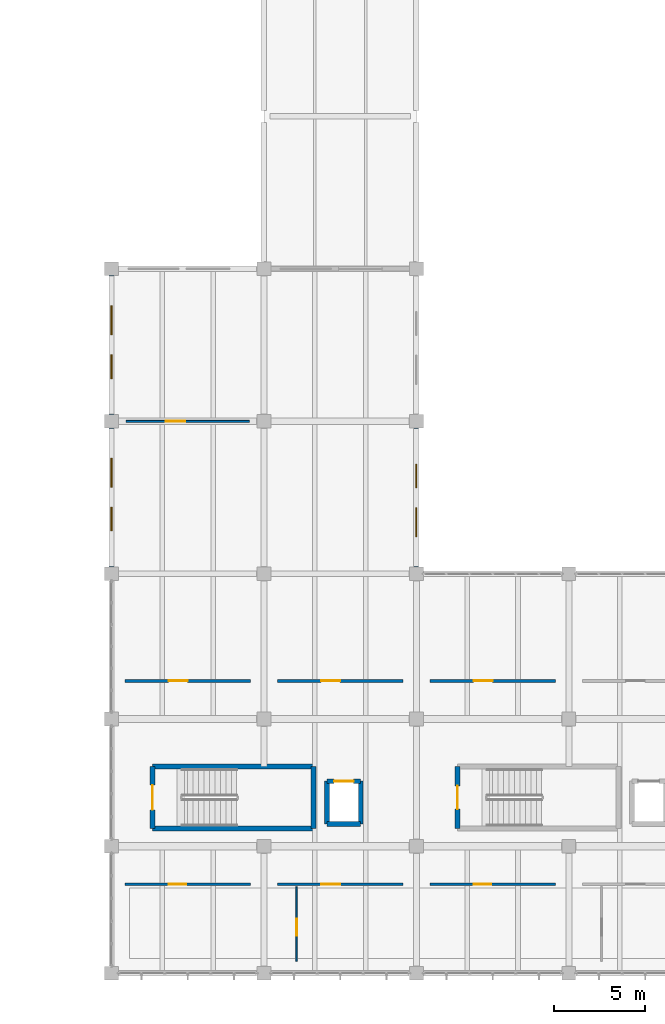
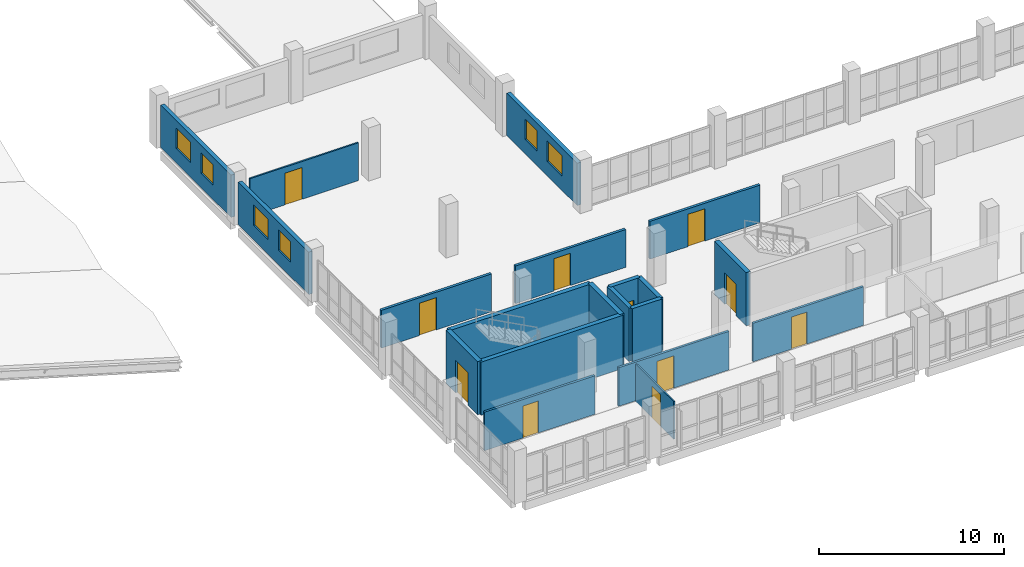
# One storey, part 79 of 95: 20 walls, 11 doors, 6 windows, 17 openings.
"""IFC4 building model written with IfcOpenShell, lengths in metres."""

from ifc_helpers import new_model, si_unit, direction, frame, frame_2d, origin, place, context, subcontext, project, spatial, rectangle, extrude, material, layer, layer_set, type_object, element, fill, save


model = new_model("IFC4")

# Units and contexts
model_context = context("Model", 3, precision=1e-05, world=origin(), true_north=direction((0.0, 1.0)))
body_context = subcontext(model_context, "Body", "Model", "MODEL_VIEW")
ifc_project = project(units=[si_unit("LENGTHUNIT", "METRE"), si_unit("AREAUNIT", "SQUARE_METRE"), si_unit("VOLUMEUNIT", "CUBIC_METRE"), si_unit("PLANEANGLEUNIT", "RADIAN"), si_unit("MASSUNIT", "GRAM", prefix="KILO"), si_unit("THERMODYNAMICTEMPERATUREUNIT", "KELVIN"), si_unit("POWERUNIT", "WATT")], contexts=[model_context])

# Site, building, storey
site_placement = place(None, origin())
site = spatial("IfcSite", under=ifc_project, at=site_placement, CompositionType="ELEMENT")
building_placement = place(site_placement, origin())
building = spatial("IfcBuilding", under=site, at=building_placement, Name="Mavoryth Pier Ferry Terminal", CompositionType="ELEMENT")
storey_placement = place(building_placement, frame((0.0, 0.0, 9.60009765625)))
storey = spatial("IfcBuildingStorey", under=building, at=storey_placement, Name="L02", CompositionType="ELEMENT", Elevation=9.60009765625)

# Walls
ifc_material_1 = material(Name="Concrete C35/45", Category="concrete")
ifc_layer_1 = layer(ifc_material_1, 0.260009765625, Name="Concrete C35/45", Category="concrete")
ifc_layer_set_1 = layer_set([ifc_layer_1], Name="Concrete C35/45 - CoreWall-LiftShaft-RC260")
wall_type_1 = type_object("IfcWallType", Name="CoreWall-LiftShaft-RC260", PredefinedType="SHEAR", material=ifc_layer_set_1)
wall_1_placement = place(storey_placement, frame((53.8701171875, 8.219970703125, 0.0), z_axis=(0.0, 0.0, 1.0), x_axis=(1.0, 0.0, 0.0)))
element("IfcWall", 1, at=wall_1_placement, inside=storey, type_object=wall_type_1, Name="Interior Wall IW-L02-0233", PredefinedType="SHEAR", context=body_context, shape_type="SweptSolid", body=[
    extrude(rectangle(XDim=1.85986328125, YDim=0.260009765625, at=frame_2d((0.929931640625, 0.0))), origin(), (0.0, 0.0, 1.0), 3.52001953125),
])
for number, where, z_axis, x_axis, name in (
    (2, (55.72998046875, 8.219970703125, 0.0), (0.0, 0.0, 1.0), (0.0, 1.0, 0.0), "Interior Wall IW-L02-0234"),
    (3, (53.8701171875, 10.580078125, 0.0), (0.0, 0.0, 1.0), (0.0, -1.0, 0.0), "Interior Wall IW-L02-0235"),
):
    element("IfcWall", number, at=place(storey_placement, frame(where, z_axis=z_axis, x_axis=x_axis)), inside=storey, type_object=wall_type_1, Name=name, PredefinedType="SHEAR", context=body_context, shape_type="SweptSolid", body=[
        extrude(rectangle(XDim=2.360107421875, YDim=0.260009765625, at=frame_2d((1.18017578125, 0.0))), origin(), (0.0, 0.0, 1.0), 3.52001953125),
    ])

# Wall, opening, door
wall_2_placement = place(storey_placement, frame((53.8701171875, 10.580078125, 0.0), z_axis=(0.0, 0.0, 1.0), x_axis=(1.0, 0.0, 0.0)))
wall_2 = element("IfcWall", 4, at=wall_2_placement, inside=storey, type_object=wall_type_1, Name="Interior Wall IW-L02-0236", PredefinedType="SHEAR", context=body_context, shape_type="SweptSolid", body=[
    extrude(rectangle(XDim=1.85986328125, YDim=0.260009765625, at=frame_2d((0.929931640625, 0.0))), origin(), (0.0, 0.0, 1.0), 3.52001953125),
])
opening_1_placement = place(wall_2_placement, frame((0.389892578125, 0.0, 0.0)))
opening_1 = element("IfcOpeningElement", 5, at=opening_1_placement, cuts=wall_2, Name="Opening LD03", PredefinedType="OPENING", context=body_context, shape_type="SweptSolid", body=[
    extrude(rectangle(XDim=1.080078125, YDim=2.139892578125, at=frame_2d((0.5400390625, 1.06982421875))), frame((0.0, 0.139892578125, 0.0), z_axis=(0.0, -1.0, 0.0), x_axis=(1.0, 0.0, 0.0)), (0.0, 0.0, 1.0), 0.280029296875),
])
ifc_material_2 = material(Name="EN 81-72 Fire-Rated Lift Landing Door")
door_type_1 = type_object("IfcDoorType", Name="Door-FireLiftLanding-1080x2140", OperationType="NOTDEFINED", PredefinedType="DOOR", material=ifc_material_2)
door_1_placement = place(opening_1_placement, origin())
door_1 = element("IfcDoor", 6, at=door_1_placement, inside=storey, type_object=door_type_1, Name="Lift FL01 Landing Door L02", OperationType="DOUBLE_DOOR_SLIDING", OverallHeight=2.139892578125, OverallWidth=1.080078125, PredefinedType="DOOR", context=body_context, shape_type="SweptSolid", body=[
    extrude(rectangle(XDim=1.080078125, YDim=2.139892578125, at=frame_2d((0.5400390625, 1.06982421875))), frame((0.0, 0.02490234375, 0.0), z_axis=(0.0, -1.0, 0.0), x_axis=(1.0, 0.0, 0.0)), (0.0, 0.0, 1.0), 0.050048828125),
])
fill(opening_1, door_1)

# Walls
ifc_material_3 = material(Name="Concrete C40/50", Category="concrete")
ifc_layer_2 = layer(ifc_material_3, 0.280029296875, Name="Concrete C40/50", Category="concrete")
ifc_layer_set_2 = layer_set([ifc_layer_2], Name="Concrete C40/50 - CoreWall-Shear-RC280")
wall_type_2 = type_object("IfcWallType", Name="CoreWall-Shear-RC280", PredefinedType="SHEAR", material=ifc_layer_set_2)
for number, where, z_axis, x_axis, name in (
    (7, (44.260009765625, 7.9599609375, 0.0), (0.0, 0.0, 1.0), (1.0, 0.0, 0.0), "Interior Wall IW-L02-0213"),
    (8, (44.260009765625, 11.389892578125, 0.0), (0.0, 0.0, 1.0), (1.0, 0.0, 0.0), "Interior Wall IW-L02-0214"),
):
    element("IfcWall", number, at=place(storey_placement, frame(where, z_axis=z_axis, x_axis=x_axis)), inside=storey, type_object=wall_type_2, Name=name, PredefinedType="SHEAR", context=body_context, shape_type="SweptSolid", body=[
        extrude(rectangle(XDim=8.8798828125, YDim=0.280029296875, at=frame_2d((4.43994140625, 0.0))), origin(), (0.0, 0.0, 1.0), 3.52001953125),
    ])

# Wall, opening, door
wall_3_placement = place(storey_placement, frame((44.260009765625, 11.389892578125, 0.0), z_axis=(0.0, 0.0, 1.0), x_axis=(0.0, -1.0, 0.0)))
wall_3 = element("IfcWall", 9, at=wall_3_placement, inside=storey, type_object=wall_type_2, Name="Interior Wall IW-L02-0215", PredefinedType="SHEAR", context=body_context, shape_type="SweptSolid", body=[
    extrude(rectangle(XDim=3.429931640625, YDim=0.280029296875, at=frame_2d((1.71484375, 0.0))), origin(), (0.0, 0.0, 1.0), 3.52001953125),
])
opening_2_placement = place(wall_3_placement, frame((1.034912109375, 0.0, 0.0)))
opening_2 = element("IfcOpeningElement", 10, at=opening_2_placement, cuts=wall_3, Name="Opening ID02-054", PredefinedType="OPENING", context=body_context, shape_type="SweptSolid", body=[
    extrude(rectangle(XDim=1.360107421875, YDim=2.14990234375, at=frame_2d((0.68017578125, 1.074951171875))), frame((0.0, 0.14990234375, 0.0), z_axis=(0.0, -1.0, 0.0), x_axis=(1.0, 0.0, 0.0)), (0.0, 0.0, 1.0), 0.300048828125),
])
ifc_material_4 = material(Name="Painted Galvanised Steel Fire Door", Category="steel")
door_type_2 = type_object("IfcDoorType", Name="Door-StairFire-1360x2150", OperationType="NOTDEFINED", PredefinedType="DOOR", material=ifc_material_4)
door_2_placement = place(opening_2_placement, origin())
door_2 = element("IfcDoor", 11, at=door_2_placement, inside=storey, type_object=door_type_2, Name="Core C5A Stair Exit Door L02", OperationType="SINGLE_SWING_LEFT", OverallHeight=2.14990234375, OverallWidth=1.360107421875, PredefinedType="DOOR", context=body_context, shape_type="SweptSolid", body=[
    extrude(rectangle(XDim=1.360107421875, YDim=2.14990234375, at=frame_2d((0.68017578125, 1.074951171875))), frame((0.0, 0.02490234375, 0.0), z_axis=(0.0, -1.0, 0.0), x_axis=(1.0, 0.0, 0.0)), (0.0, 0.0, 1.0), 0.050048828125),
])
fill(opening_2, door_2)

# Wall
wall_4_placement = place(storey_placement, frame((53.139892578125, 7.9599609375, 0.0), z_axis=(0.0, 0.0, 1.0), x_axis=(0.0, 1.0, 0.0)))
element("IfcWall", 12, at=wall_4_placement, inside=storey, type_object=wall_type_2, Name="Interior Wall IW-L02-0216", PredefinedType="SHEAR", context=body_context, shape_type="SweptSolid", body=[
    extrude(rectangle(XDim=3.429931640625, YDim=0.280029296875, at=frame_2d((1.71484375, 0.0))), origin(), (0.0, 0.0, 1.0), 3.52001953125),
])

# Wall, opening, door
wall_5_placement = place(storey_placement, frame((61.06005859375, 11.389892578125, 0.0), z_axis=(0.0, 0.0, 1.0), x_axis=(0.0, -1.0, 0.0)))
wall_5 = element("IfcWall", 13, at=wall_5_placement, inside=storey, type_object=wall_type_2, Name="Interior Wall IW-L02-0255", PredefinedType="SHEAR", context=body_context, shape_type="SweptSolid", body=[
    extrude(rectangle(XDim=3.429931640625, YDim=0.280029296875, at=frame_2d((1.71484375, 0.0))), origin(), (0.0, 0.0, 1.0), 3.52001953125),
])
opening_3_placement = place(wall_5_placement, frame((1.074951171875, 0.0, 0.0)))
opening_3 = element("IfcOpeningElement", 14, at=opening_3_placement, cuts=wall_5, Name="Opening ID03-064", PredefinedType="OPENING", context=body_context, shape_type="SweptSolid", body=[
    extrude(rectangle(XDim=1.280029296875, YDim=2.10009765625, at=frame_2d((0.64013671875, 1.050048828125))), frame((0.0, 0.14990234375, 0.0), z_axis=(0.0, -1.0, 0.0), x_axis=(1.0, 0.0, 0.0)), (0.0, 0.0, 1.0), 0.300048828125),
])
door_type_3 = type_object("IfcDoorType", Name="Door-StairFire-1280x2100", OperationType="NOTDEFINED", PredefinedType="DOOR", material=ifc_material_4)
door_3_placement = place(opening_3_placement, origin())
door_3 = element("IfcDoor", 15, at=door_3_placement, inside=storey, type_object=door_type_3, Name="Core C5B Stair Exit Door L02", OperationType="SINGLE_SWING_RIGHT", OverallHeight=2.10009765625, OverallWidth=1.280029296875, PredefinedType="DOOR", context=body_context, shape_type="SweptSolid", body=[
    extrude(rectangle(XDim=1.280029296875, YDim=2.10009765625, at=frame_2d((0.64013671875, 1.050048828125))), frame((0.0, 0.02490234375, 0.0), z_axis=(0.0, -1.0, 0.0), x_axis=(1.0, 0.0, 0.0)), (0.0, 0.0, 1.0), 0.050048828125),
])
fill(opening_3, door_3)

# Wall, openings, windows
ifc_material_5 = material(Name="Insulated Pentelic Limestone-Faced Masonry", Category="masonry")
ifc_layer_3 = layer(ifc_material_5, 0.25, Name="Insulated Pentelic Limestone-Faced Masonry", Category="masonry")
ifc_layer_set_3 = layer_set([ifc_layer_3], Name="Insulated Pentelic Limestone-Faced Masonry - ExtWall-Facade-Masonry250")
wall_type_3 = type_object("IfcWallType", Name="ExtWall-Facade-Masonry250", PredefinedType="SOLIDWALL", material=ifc_layer_set_3)
wall_6_placement = place(storey_placement, frame((42.0, 30.02490234375, 0.0), z_axis=(0.0, 0.0, 1.0), x_axis=(0.0, -1.0, 0.0)))
wall_6 = element("IfcWall", 16, at=wall_6_placement, inside=storey, type_object=wall_type_3, Name="Exterior Wall EW-L02-169", PredefinedType="SOLIDWALL", context=body_context, shape_type="SweptSolid", body=[
    extrude(rectangle(XDim=7.64990234375, YDim=0.25, at=frame_2d((3.824951171875, 0.0))), origin(), (0.0, 0.0, 1.0), 2.804931640625),
])
opening_4_placement = place(wall_6_placement, frame((1.6650390625, 0.0, 0.949951171875)))
opening_4 = element("IfcOpeningElement", 17, at=opening_4_placement, cuts=wall_6, Name="Opening WN05", PredefinedType="OPENING", context=body_context, shape_type="SweptSolid", body=[
    extrude(rectangle(XDim=1.60009765625, YDim=1.35009765625, at=frame_2d((0.800048828125, 0.675048828125))), frame((0.0, 0.135009765625, 0.0), z_axis=(0.0, -1.0, 0.0), x_axis=(1.0, 0.0, 0.0)), (0.0, 0.0, 1.0), 0.27001953125),
])
opening_5_placement = place(wall_6_placement, frame((4.364990234375, 0.0, 0.949951171875)))
opening_5 = element("IfcOpeningElement", 18, at=opening_5_placement, cuts=wall_6, Name="Opening WN06", PredefinedType="OPENING", context=body_context, shape_type="SweptSolid", body=[
    extrude(rectangle(XDim=1.300048828125, YDim=1.35009765625, at=frame_2d((0.64990234375, 0.675048828125))), frame((0.0, 0.135009765625, 0.0), z_axis=(0.0, -1.0, 0.0), x_axis=(1.0, 0.0, 0.0)), (0.0, 0.0, 1.0), 0.27001953125),
])
ifc_material_6 = material(Name="Thermally Broken Aluminium and Low-E Double Glazing", Category="aluminium")
window_type_1 = type_object("IfcWindowType", Name="Win-Clinic-1300x1350", PartitioningType="SINGLE_PANEL", PredefinedType="WINDOW", material=ifc_material_6)
window_1_placement = place(opening_5_placement, origin())
window_1 = element("IfcWindow", 19, at=window_1_placement, inside=storey, type_object=window_type_1, Name="Exterior Window 100", OverallHeight=1.35009765625, OverallWidth=1.300048828125, PartitioningType="SINGLE_PANEL", PredefinedType="WINDOW", context=body_context, shape_type="SweptSolid", body=[
    extrude(rectangle(XDim=1.300048828125, YDim=1.35009765625, at=frame_2d((0.64990234375, 0.675048828125))), frame((0.0, 0.030029296875, 0.0), z_axis=(0.0, -1.0, 0.0), x_axis=(1.0, 0.0, 0.0)), (0.0, 0.0, 1.0), 0.06005859375),
])
fill(opening_5, window_1)
window_type_2 = type_object("IfcWindowType", Name="Win-Clinic-1600x1350", PartitioningType="DOUBLE_PANEL_VERTICAL", PredefinedType="WINDOW", material=ifc_material_6)
window_2_placement = place(opening_4_placement, origin())
window_2 = element("IfcWindow", 20, at=window_2_placement, inside=storey, type_object=window_type_2, Name="Exterior Window 99", OverallHeight=1.35009765625, OverallWidth=1.60009765625, PartitioningType="DOUBLE_PANEL_VERTICAL", PredefinedType="WINDOW", context=body_context, shape_type="SweptSolid", body=[
    extrude(rectangle(XDim=1.60009765625, YDim=1.35009765625, at=frame_2d((0.800048828125, 0.675048828125))), frame((0.0, 0.030029296875, 0.0), z_axis=(0.0, -1.0, 0.0), x_axis=(1.0, 0.0, 0.0)), (0.0, 0.0, 1.0), 0.06005859375),
])
fill(opening_4, window_2)

wall_7_placement = place(storey_placement, frame((58.800048828125, 22.375, 0.0), z_axis=(0.0, 0.0, 1.0), x_axis=(0.0, 1.0, 0.0)))
wall_7 = element("IfcWall", 21, at=wall_7_placement, inside=storey, type_object=wall_type_3, Name="Exterior Wall EW-L02-170", PredefinedType="SOLIDWALL", context=body_context, shape_type="SweptSolid", body=[
    extrude(rectangle(XDim=7.64990234375, YDim=0.25, at=frame_2d((3.824951171875, 0.0))), origin(), (0.0, 0.0, 1.0), 2.804931640625),
])
opening_6_placement = place(wall_7_placement, frame((1.6650390625, 0.0, 0.949951171875)))
opening_6 = element("IfcOpeningElement", 22, at=opening_6_placement, cuts=wall_7, Name="Opening WN05", PredefinedType="OPENING", context=body_context, shape_type="SweptSolid", body=[
    extrude(rectangle(XDim=1.60009765625, YDim=1.35009765625, at=frame_2d((0.800048828125, 0.675048828125))), frame((0.0, 0.135009765625, 0.0), z_axis=(0.0, -1.0, 0.0), x_axis=(1.0, 0.0, 0.0)), (0.0, 0.0, 1.0), 0.27001953125),
])
opening_7_placement = place(wall_7_placement, frame((4.364990234375, 0.0, 0.949951171875)))
opening_7 = element("IfcOpeningElement", 23, at=opening_7_placement, cuts=wall_7, Name="Opening WN06", PredefinedType="OPENING", context=body_context, shape_type="SweptSolid", body=[
    extrude(rectangle(XDim=1.300048828125, YDim=1.35009765625, at=frame_2d((0.64990234375, 0.675048828125))), frame((0.0, 0.135009765625, 0.0), z_axis=(0.0, -1.0, 0.0), x_axis=(1.0, 0.0, 0.0)), (0.0, 0.0, 1.0), 0.27001953125),
])
window_3_placement = place(opening_7_placement, origin())
window_3 = element("IfcWindow", 24, at=window_3_placement, inside=storey, type_object=window_type_1, Name="Exterior Window 102", OverallHeight=1.35009765625, OverallWidth=1.300048828125, PartitioningType="SINGLE_PANEL", PredefinedType="WINDOW", context=body_context, shape_type="SweptSolid", body=[
    extrude(rectangle(XDim=1.300048828125, YDim=1.35009765625, at=frame_2d((0.64990234375, 0.675048828125))), frame((0.0, 0.030029296875, 0.0), z_axis=(0.0, -1.0, 0.0), x_axis=(1.0, 0.0, 0.0)), (0.0, 0.0, 1.0), 0.06005859375),
])
fill(opening_7, window_3)
window_4_placement = place(opening_6_placement, origin())
window_4 = element("IfcWindow", 25, at=window_4_placement, inside=storey, type_object=window_type_2, Name="Exterior Window 101", OverallHeight=1.35009765625, OverallWidth=1.60009765625, PartitioningType="DOUBLE_PANEL_VERTICAL", PredefinedType="WINDOW", context=body_context, shape_type="SweptSolid", body=[
    extrude(rectangle(XDim=1.60009765625, YDim=1.35009765625, at=frame_2d((0.800048828125, 0.675048828125))), frame((0.0, 0.030029296875, 0.0), z_axis=(0.0, -1.0, 0.0), x_axis=(1.0, 0.0, 0.0)), (0.0, 0.0, 1.0), 0.06005859375),
])
fill(opening_6, window_4)

wall_8_placement = place(storey_placement, frame((42.0, 38.425048828125, 0.0), z_axis=(0.0, 0.0, 1.0), x_axis=(0.0, -1.0, 0.0)))
wall_8 = element("IfcWall", 26, at=wall_8_placement, inside=storey, type_object=wall_type_3, Name="Exterior Wall EW-L02-171", PredefinedType="SOLIDWALL", context=body_context, shape_type="SweptSolid", body=[
    extrude(rectangle(XDim=7.650146484375, YDim=0.25, at=frame_2d((3.8251953125, 0.0))), origin(), (0.0, 0.0, 1.0), 2.804931640625),
])
opening_8_placement = place(wall_8_placement, frame((1.6650390625, 0.0, 0.949951171875)))
opening_8 = element("IfcOpeningElement", 27, at=opening_8_placement, cuts=wall_8, Name="Opening WN05", PredefinedType="OPENING", context=body_context, shape_type="SweptSolid", body=[
    extrude(rectangle(XDim=1.60009765625, YDim=1.35009765625, at=frame_2d((0.800048828125, 0.675048828125))), frame((0.0, 0.135009765625, 0.0), z_axis=(0.0, -1.0, 0.0), x_axis=(1.0, 0.0, 0.0)), (0.0, 0.0, 1.0), 0.27001953125),
])
opening_9_placement = place(wall_8_placement, frame((4.364990234375, 0.0, 0.949951171875)))
opening_9 = element("IfcOpeningElement", 28, at=opening_9_placement, cuts=wall_8, Name="Opening WN06", PredefinedType="OPENING", context=body_context, shape_type="SweptSolid", body=[
    extrude(rectangle(XDim=1.300048828125, YDim=1.35009765625, at=frame_2d((0.64990234375, 0.675048828125))), frame((0.0, 0.135009765625, 0.0), z_axis=(0.0, -1.0, 0.0), x_axis=(1.0, 0.0, 0.0)), (0.0, 0.0, 1.0), 0.27001953125),
])
window_5_placement = place(opening_9_placement, origin())
window_5 = element("IfcWindow", 29, at=window_5_placement, inside=storey, type_object=window_type_1, Name="Exterior Window 104", OverallHeight=1.35009765625, OverallWidth=1.300048828125, PartitioningType="SINGLE_PANEL", PredefinedType="WINDOW", context=body_context, shape_type="SweptSolid", body=[
    extrude(rectangle(XDim=1.300048828125, YDim=1.35009765625, at=frame_2d((0.64990234375, 0.675048828125))), frame((0.0, 0.030029296875, 0.0), z_axis=(0.0, -1.0, 0.0), x_axis=(1.0, 0.0, 0.0)), (0.0, 0.0, 1.0), 0.06005859375),
])
fill(opening_9, window_5)
window_6_placement = place(opening_8_placement, origin())
window_6 = element("IfcWindow", 30, at=window_6_placement, inside=storey, type_object=window_type_2, Name="Exterior Window 103", OverallHeight=1.35009765625, OverallWidth=1.60009765625, PartitioningType="DOUBLE_PANEL_VERTICAL", PredefinedType="WINDOW", context=body_context, shape_type="SweptSolid", body=[
    extrude(rectangle(XDim=1.60009765625, YDim=1.35009765625, at=frame_2d((0.800048828125, 0.675048828125))), frame((0.0, 0.030029296875, 0.0), z_axis=(0.0, -1.0, 0.0), x_axis=(1.0, 0.0, 0.0)), (0.0, 0.0, 1.0), 0.06005859375),
])
fill(opening_8, window_6)

# Wall, opening, door
ifc_material_7 = material(Name="Double-Stud Acoustic Gypsum Partition")
ifc_layer_4 = layer(ifc_material_7, 0.159912109375, Name="Double-Stud Acoustic Gypsum Partition")
ifc_layer_set_4 = layer_set([ifc_layer_4], Name="Double-Stud Acoustic Gypsum Partition - Part-Acoustic-160")
wall_type_4 = type_object("IfcWallType", Name="Part-Acoustic-160", PredefinedType="PARTITIONING", material=ifc_layer_set_4)
wall_9_placement = place(storey_placement, frame((42.75, 16.10009765625, 0.0), z_axis=(0.0, 0.0, 1.0), x_axis=(1.0, 0.0, 0.0)))
wall_9 = element("IfcWall", 31, at=wall_9_placement, inside=storey, type_object=wall_type_4, Name="Interior Wall IW-L02-0469", PredefinedType="PARTITIONING", context=body_context, shape_type="SweptSolid", body=[
    extrude(rectangle(XDim=6.89990234375, YDim=0.159912109375, at=frame_2d((3.449951171875, 0.0))), origin(), (0.0, 0.0, 1.0), 2.5),
])
opening_10_placement = place(wall_9_placement, frame((2.39990234375, 0.0, 0.0)))
opening_10 = element("IfcOpeningElement", 32, at=opening_10_placement, cuts=wall_9, Name="Opening ID08-138", PredefinedType="OPENING", context=body_context, shape_type="SweptSolid", body=[
    extrude(rectangle(XDim=1.0400390625, YDim=2.139892578125, at=frame_2d((0.52001953125, 1.06982421875))), frame((0.0, 0.08984375, 0.0), z_axis=(0.0, -1.0, 0.0), x_axis=(1.0, 0.0, 0.0)), (0.0, 0.0, 1.0), 0.179931640625),
])
ifc_material_8 = material(Name="Solid-Core Oak Veneer Timber Door", Category="wood")
door_type_4 = type_object("IfcDoorType", Name="Door-RoomSingle-1040x2140", OperationType="NOTDEFINED", PredefinedType="DOOR", material=ifc_material_8)
door_4_placement = place(opening_10_placement, origin())
door_4 = element("IfcDoor", 33, at=door_4_placement, inside=storey, type_object=door_type_4, Name="Interior Door ID08-138", OperationType="SINGLE_SWING_LEFT", OverallHeight=2.139892578125, OverallWidth=1.0400390625, PredefinedType="DOOR", context=body_context, shape_type="SweptSolid", body=[
    extrude(rectangle(XDim=1.0400390625, YDim=2.139892578125, at=frame_2d((0.52001953125, 1.06982421875))), frame((0.0, 0.02490234375, 0.0), z_axis=(0.0, -1.0, 0.0), x_axis=(1.0, 0.0, 0.0)), (0.0, 0.0, 1.0), 0.050048828125),
])
fill(opening_10, door_4)

wall_10_placement = place(storey_placement, frame((51.14990234375, 16.10009765625, 0.0), z_axis=(0.0, 0.0, 1.0), x_axis=(1.0, 0.0, 0.0)))
wall_10 = element("IfcWall", 34, at=wall_10_placement, inside=storey, type_object=wall_type_4, Name="Interior Wall IW-L02-0472", PredefinedType="PARTITIONING", context=body_context, shape_type="SweptSolid", body=[
    extrude(rectangle(XDim=6.900146484375, YDim=0.159912109375, at=frame_2d((3.4501953125, 0.0))), origin(), (0.0, 0.0, 1.0), 2.5),
])
opening_11_placement = place(wall_10_placement, frame((2.39990234375, 0.0, 0.0)))
opening_11 = element("IfcOpeningElement", 35, at=opening_11_placement, cuts=wall_10, Name="Opening ID08-141", PredefinedType="OPENING", context=body_context, shape_type="SweptSolid", body=[
    extrude(rectangle(XDim=1.0400390625, YDim=2.139892578125, at=frame_2d((0.52001953125, 1.06982421875))), frame((0.0, 0.08984375, 0.0), z_axis=(0.0, -1.0, 0.0), x_axis=(1.0, 0.0, 0.0)), (0.0, 0.0, 1.0), 0.179931640625),
])
door_5_placement = place(opening_11_placement, origin())
door_5 = element("IfcDoor", 36, at=door_5_placement, inside=storey, type_object=door_type_4, Name="Interior Door ID08-141", OperationType="SINGLE_SWING_RIGHT", OverallHeight=2.139892578125, OverallWidth=1.0400390625, PredefinedType="DOOR", context=body_context, shape_type="SweptSolid", body=[
    extrude(rectangle(XDim=1.0400390625, YDim=2.139892578125, at=frame_2d((0.52001953125, 1.06982421875))), frame((0.0, 0.02490234375, 0.0), z_axis=(0.0, -1.0, 0.0), x_axis=(1.0, 0.0, 0.0)), (0.0, 0.0, 1.0), 0.050048828125),
])
fill(opening_11, door_5)

wall_11_placement = place(storey_placement, frame((59.550048828125, 16.10009765625, 0.0), z_axis=(0.0, 0.0, 1.0), x_axis=(1.0, 0.0, 0.0)))
wall_11 = element("IfcWall", 37, at=wall_11_placement, inside=storey, type_object=wall_type_4, Name="Interior Wall IW-L02-0474", PredefinedType="PARTITIONING", context=body_context, shape_type="SweptSolid", body=[
    extrude(rectangle(XDim=6.89990234375, YDim=0.159912109375, at=frame_2d((3.449951171875, 0.0))), origin(), (0.0, 0.0, 1.0), 2.5),
])
opening_12_placement = place(wall_11_placement, frame((2.39990234375, 0.0, 0.0)))
opening_12 = element("IfcOpeningElement", 38, at=opening_12_placement, cuts=wall_11, Name="Opening ID08-143", PredefinedType="OPENING", context=body_context, shape_type="SweptSolid", body=[
    extrude(rectangle(XDim=1.0400390625, YDim=2.139892578125, at=frame_2d((0.52001953125, 1.06982421875))), frame((0.0, 0.08984375, 0.0), z_axis=(0.0, -1.0, 0.0), x_axis=(1.0, 0.0, 0.0)), (0.0, 0.0, 1.0), 0.179931640625),
])
door_6_placement = place(opening_12_placement, origin())
door_6 = element("IfcDoor", 39, at=door_6_placement, inside=storey, type_object=door_type_4, Name="Interior Door ID08-143", OperationType="SINGLE_SWING_RIGHT", OverallHeight=2.139892578125, OverallWidth=1.0400390625, PredefinedType="DOOR", context=body_context, shape_type="SweptSolid", body=[
    extrude(rectangle(XDim=1.0400390625, YDim=2.139892578125, at=frame_2d((0.52001953125, 1.06982421875))), frame((0.0, 0.02490234375, 0.0), z_axis=(0.0, -1.0, 0.0), x_axis=(1.0, 0.0, 0.0)), (0.0, 0.0, 1.0), 0.050048828125),
])
fill(opening_12, door_6)

ifc_material_9 = material(Name="Fire-Rated Gypsum Stud Partition")
ifc_layer_5 = layer(ifc_material_9, 0.139892578125, Name="Fire-Rated Gypsum Stud Partition")
ifc_layer_set_5 = layer_set([ifc_layer_5], Name="Fire-Rated Gypsum Stud Partition - Part-Corridor-140")
wall_type_5 = type_object("IfcWallType", Name="Part-Corridor-140", PredefinedType="PARTITIONING", material=ifc_layer_set_5)
wall_12_placement = place(storey_placement, frame((42.75, 4.89990234375, 0.0), z_axis=(0.0, 0.0, 1.0), x_axis=(1.0, 0.0, 0.0)))
wall_12 = element("IfcWall", 40, at=wall_12_placement, inside=storey, type_object=wall_type_5, Name="Interior Wall IW-L02-0468", PredefinedType="PARTITIONING", context=body_context, shape_type="SweptSolid", body=[
    extrude(rectangle(XDim=6.89990234375, YDim=0.139892578125, at=frame_2d((3.449951171875, 0.0))), origin(), (0.0, 0.0, 1.0), 2.5498046875),
])
opening_13_placement = place(wall_12_placement, frame((2.39990234375, 0.0, 0.0)))
opening_13 = element("IfcOpeningElement", 41, at=opening_13_placement, cuts=wall_12, Name="Opening ID09-137", PredefinedType="OPENING", context=body_context, shape_type="SweptSolid", body=[
    extrude(rectangle(XDim=0.97998046875, YDim=2.1201171875, at=frame_2d((0.489990234375, 1.06005859375))), frame((0.0, 0.079833984375, 0.0), z_axis=(0.0, -1.0, 0.0), x_axis=(1.0, 0.0, 0.0)), (0.0, 0.0, 1.0), 0.159912109375),
])
door_type_5 = type_object("IfcDoorType", Name="Door-RoomSingle-980x2120", OperationType="NOTDEFINED", PredefinedType="DOOR", material=ifc_material_8)
door_7_placement = place(opening_13_placement, origin())
door_7 = element("IfcDoor", 42, at=door_7_placement, inside=storey, type_object=door_type_5, Name="Interior Door ID09-137", OperationType="SINGLE_SWING_RIGHT", OverallHeight=2.1201171875, OverallWidth=0.97998046875, PredefinedType="DOOR", context=body_context, shape_type="SweptSolid", body=[
    extrude(rectangle(XDim=0.97998046875, YDim=2.1201171875, at=frame_2d((0.489990234375, 1.06005859375))), frame((0.0, 0.02490234375, 0.0), z_axis=(0.0, -1.0, 0.0), x_axis=(1.0, 0.0, 0.0)), (0.0, 0.0, 1.0), 0.050048828125),
])
fill(opening_13, door_7)

wall_13_placement = place(storey_placement, frame((51.14990234375, 4.89990234375, 0.0), z_axis=(0.0, 0.0, 1.0), x_axis=(1.0, 0.0, 0.0)))
wall_13 = element("IfcWall", 43, at=wall_13_placement, inside=storey, type_object=wall_type_5, Name="Interior Wall IW-L02-0470", PredefinedType="PARTITIONING", context=body_context, shape_type="SweptSolid", body=[
    extrude(rectangle(XDim=6.900146484375, YDim=0.139892578125, at=frame_2d((3.4501953125, 0.0))), origin(), (0.0, 0.0, 1.0), 2.5498046875),
])
opening_14_placement = place(wall_13_placement, frame((2.39990234375, 0.0, 0.0)))
opening_14 = element("IfcOpeningElement", 44, at=opening_14_placement, cuts=wall_13, Name="Opening ID08-139", PredefinedType="OPENING", context=body_context, shape_type="SweptSolid", body=[
    extrude(rectangle(XDim=1.0400390625, YDim=2.139892578125, at=frame_2d((0.52001953125, 1.06982421875))), frame((0.0, 0.079833984375, 0.0), z_axis=(0.0, -1.0, 0.0), x_axis=(1.0, 0.0, 0.0)), (0.0, 0.0, 1.0), 0.159912109375),
])
door_8_placement = place(opening_14_placement, origin())
door_8 = element("IfcDoor", 45, at=door_8_placement, inside=storey, type_object=door_type_4, Name="Interior Door ID08-139", OperationType="SINGLE_SWING_RIGHT", OverallHeight=2.139892578125, OverallWidth=1.0400390625, PredefinedType="DOOR", context=body_context, shape_type="SweptSolid", body=[
    extrude(rectangle(XDim=1.0400390625, YDim=2.139892578125, at=frame_2d((0.52001953125, 1.06982421875))), frame((0.0, 0.02490234375, 0.0), z_axis=(0.0, -1.0, 0.0), x_axis=(1.0, 0.0, 0.0)), (0.0, 0.0, 1.0), 0.050048828125),
])
fill(opening_14, door_8)

wall_14_placement = place(storey_placement, frame((59.550048828125, 4.89990234375, 0.0), z_axis=(0.0, 0.0, 1.0), x_axis=(1.0, 0.0, 0.0)))
wall_14 = element("IfcWall", 46, at=wall_14_placement, inside=storey, type_object=wall_type_5, Name="Interior Wall IW-L02-0473", PredefinedType="PARTITIONING", context=body_context, shape_type="SweptSolid", body=[
    extrude(rectangle(XDim=6.89990234375, YDim=0.139892578125, at=frame_2d((3.449951171875, 0.0))), origin(), (0.0, 0.0, 1.0), 2.5498046875),
])
opening_15_placement = place(wall_14_placement, frame((2.39990234375, 0.0, 0.0)))
opening_15 = element("IfcOpeningElement", 47, at=opening_15_placement, cuts=wall_14, Name="Opening ID09-142", PredefinedType="OPENING", context=body_context, shape_type="SweptSolid", body=[
    extrude(rectangle(XDim=0.97998046875, YDim=2.1201171875, at=frame_2d((0.489990234375, 1.06005859375))), frame((0.0, 0.079833984375, 0.0), z_axis=(0.0, -1.0, 0.0), x_axis=(1.0, 0.0, 0.0)), (0.0, 0.0, 1.0), 0.159912109375),
])
door_9_placement = place(opening_15_placement, origin())
door_9 = element("IfcDoor", 48, at=door_9_placement, inside=storey, type_object=door_type_5, Name="Interior Door ID09-142", OperationType="SINGLE_SWING_LEFT", OverallHeight=2.1201171875, OverallWidth=0.97998046875, PredefinedType="DOOR", context=body_context, shape_type="SweptSolid", body=[
    extrude(rectangle(XDim=0.97998046875, YDim=2.1201171875, at=frame_2d((0.489990234375, 1.06005859375))), frame((0.0, 0.02490234375, 0.0), z_axis=(0.0, -1.0, 0.0), x_axis=(1.0, 0.0, 0.0)), (0.0, 0.0, 1.0), 0.050048828125),
])
fill(opening_15, door_9)

ifc_material_10 = material(Name="Lightweight Glazed Acoustic Partition")
ifc_layer_6 = layer(ifc_material_10, 0.080078125, Name="Lightweight Glazed Acoustic Partition")
ifc_layer_set_6 = layer_set([ifc_layer_6], Name="Lightweight Glazed Acoustic Partition - Part-Office-080")
wall_type_6 = type_object("IfcWallType", Name="Part-Office-080", PredefinedType="PARTITIONING", material=ifc_layer_set_6)
wall_15_placement = place(storey_placement, frame((52.199951171875, 0.64990234375, 0.0), z_axis=(0.0, 0.0, 1.0), x_axis=(0.0, 1.0, 0.0)))
wall_15 = element("IfcWall", 49, at=wall_15_placement, inside=storey, type_object=wall_type_6, Name="Interior Wall IW-L02-0471", PredefinedType="PARTITIONING", context=body_context, shape_type="SweptSolid", body=[
    extrude(rectangle(XDim=4.10009765625, YDim=0.080078125, at=frame_2d((2.050048828125, 0.0))), origin(), (0.0, 0.0, 1.0), 2.5),
])
opening_16_placement = place(wall_15_placement, frame((1.39990234375, 0.0, 0.0)))
opening_16 = element("IfcOpeningElement", 50, at=opening_16_placement, cuts=wall_15, Name="Opening ID10-140", PredefinedType="OPENING", context=body_context, shape_type="SweptSolid", body=[
    extrude(rectangle(XDim=0.93994140625, YDim=2.080078125, at=frame_2d((0.469970703125, 1.0400390625))), frame((0.0, 0.050048828125, 0.0), z_axis=(0.0, -1.0, 0.0), x_axis=(1.0, 0.0, 0.0)), (0.0, 0.0, 1.0), 0.10009765625),
])
door_type_6 = type_object("IfcDoorType", Name="Door-RoomSingle-940x2080", OperationType="NOTDEFINED", PredefinedType="DOOR", material=ifc_material_8)
door_10_placement = place(opening_16_placement, origin())
door_10 = element("IfcDoor", 51, at=door_10_placement, inside=storey, type_object=door_type_6, Name="Interior Door ID10-140", OperationType="SINGLE_SWING_LEFT", OverallHeight=2.080078125, OverallWidth=0.93994140625, PredefinedType="DOOR", context=body_context, shape_type="SweptSolid", body=[
    extrude(rectangle(XDim=0.93994140625, YDim=2.080078125, at=frame_2d((0.469970703125, 1.0400390625))), frame((0.0, 0.02490234375, 0.0), z_axis=(0.0, -1.0, 0.0), x_axis=(1.0, 0.0, 0.0)), (0.0, 0.0, 1.0), 0.050048828125),
])
fill(opening_16, door_10)

ifc_material_11 = material(Name="Moisture-Resistant Cement-Board Partition")
ifc_layer_7 = layer(ifc_material_11, 0.10009765625, Name="Moisture-Resistant Cement-Board Partition")
ifc_layer_set_7 = layer_set([ifc_layer_7], Name="Moisture-Resistant Cement-Board Partition - Part-WetArea-100")
wall_type_7 = type_object("IfcWallType", Name="Part-WetArea-100", PredefinedType="PARTITIONING", material=ifc_layer_set_7)
wall_16_placement = place(storey_placement, frame((42.800048828125, 30.39990234375, 0.0), z_axis=(0.0, 0.0, 1.0), x_axis=(1.0, 0.0, 0.0)))
wall_16 = element("IfcWall", 52, at=wall_16_placement, inside=storey, type_object=wall_type_7, Name="Interior Wall IW-L02-0507", PredefinedType="PARTITIONING", context=body_context, shape_type="SweptSolid", body=[
    extrude(rectangle(XDim=6.800048828125, YDim=0.10009765625, at=frame_2d((3.39990234375, 0.0))), origin(), (0.0, 0.0, 1.0), 2.5),
])
opening_17_placement = place(wall_16_placement, frame((2.199951171875, 0.0, 0.0)))
opening_17 = element("IfcOpeningElement", 53, at=opening_17_placement, cuts=wall_16, Name="Opening ID11-176", PredefinedType="OPENING", context=body_context, shape_type="SweptSolid", body=[
    extrude(rectangle(XDim=1.06005859375, YDim=2.10009765625, at=frame_2d((0.530029296875, 1.050048828125))), frame((0.0, 0.06005859375, 0.0), z_axis=(0.0, -1.0, 0.0), x_axis=(1.0, 0.0, 0.0)), (0.0, 0.0, 1.0), 0.1201171875),
])
ifc_material_12 = material(Name="High-Pressure Laminate Accessible Door")
door_type_7 = type_object("IfcDoorType", Name="Door-AccessibleWC-1060x2100", OperationType="NOTDEFINED", PredefinedType="DOOR", material=ifc_material_12)
door_11_placement = place(opening_17_placement, origin())
door_11 = element("IfcDoor", 54, at=door_11_placement, inside=storey, type_object=door_type_7, Name="Operations Level 02 Accessible WC Door", OperationType="SINGLE_SWING_LEFT", OverallHeight=2.10009765625, OverallWidth=1.06005859375, PredefinedType="DOOR", context=body_context, shape_type="SweptSolid", body=[
    extrude(rectangle(XDim=1.06005859375, YDim=2.10009765625, at=frame_2d((0.530029296875, 1.050048828125))), frame((0.0, 0.02490234375, 0.0), z_axis=(0.0, -1.0, 0.0), x_axis=(1.0, 0.0, 0.0)), (0.0, 0.0, 1.0), 0.050048828125),
])
fill(opening_17, door_11)

save(model, "model.ifc")
